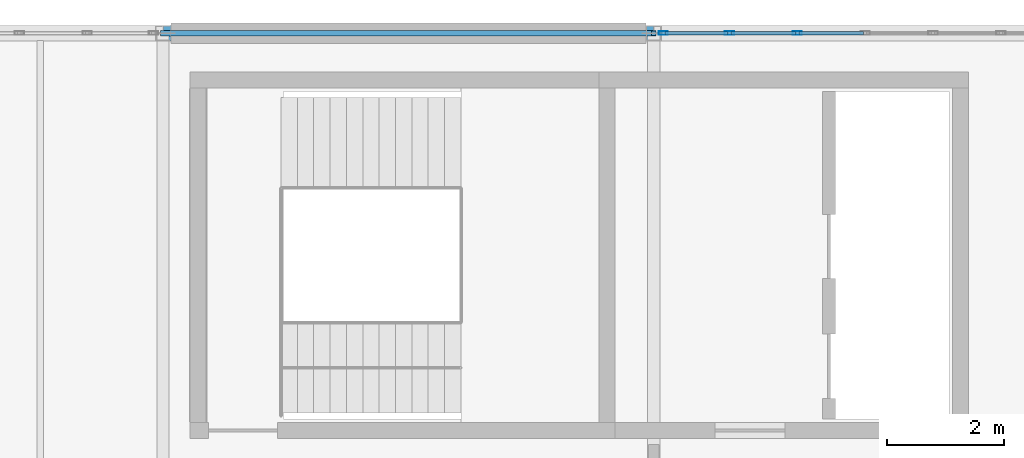
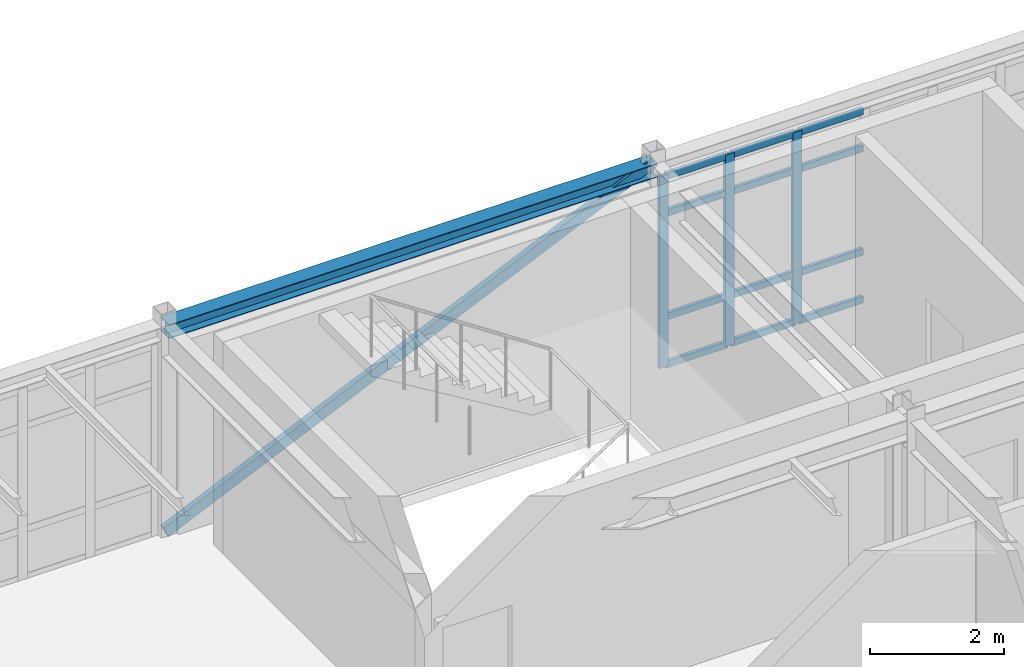
# One storey, part 101 of 189: 16 members, 1 beam, 1 element without a shape of its own.
"""IFC4 building model written with IfcOpenShell, lengths in metres."""

from ifc_helpers import new_model, si_unit, direction, frame, origin, origin_2d, place, context, subcontext, project, spatial, hollow_rectangle, i_section, extrude, material, layer, layer_set, material_profile, profile_set, type_object, element, aggregate, save


model = new_model("IFC4")

# Units and contexts
model_context = context("Model", 3, precision=1e-05, world=origin(), true_north=direction((0.0, 1.0)))
body_context = subcontext(model_context, "Body", "Model", "MODEL_VIEW")
ifc_project = project(units=[si_unit("LENGTHUNIT", "METRE"), si_unit("AREAUNIT", "SQUARE_METRE"), si_unit("VOLUMEUNIT", "CUBIC_METRE"), si_unit("PLANEANGLEUNIT", "RADIAN"), si_unit("MASSUNIT", "GRAM", prefix="KILO")], contexts=[model_context])

# Site, building, storey
site_placement = place(None, origin())
site = spatial("IfcSite", under=ifc_project, at=site_placement, CompositionType="ELEMENT")
building_placement = place(site_placement, origin())
building = spatial("IfcBuilding", under=site, at=building_placement, Name="Montecoro Central Library", CompositionType="ELEMENT")
storey_placement = place(building_placement, frame((0.0, 0.0, 9.179931640625)))
storey = spatial("IfcBuildingStorey", under=building, at=storey_placement, Name="L02", CompositionType="ELEMENT", Elevation=9.179931640625)

# Beam
ifc_material_1 = material(Name="Steel S355", Category="steel")
ifc_material_profile_1 = material_profile(ifc_material_1, i_section(OverallWidth=0.260009765625, OverallDepth=0.25, WebThickness=0.007568359375, FlangeThickness=0.012451171875, at=origin_2d()), Name="HEA 260")
ifc_profile_set_1 = profile_set([ifc_material_profile_1], Name="Steel S355")
beam_type = type_object("IfcBeamType", Name="BM-SP-HEA260", PredefinedType="SPANDREL", material=ifc_profile_set_1)
beam_placement = place(storey_placement, frame((74.804931640625, 119.0, 3.699951171875), z_axis=(1.0, 0.0, 0.0), x_axis=(0.0, 1.0, 0.0)))
element("IfcBeam", 1, at=beam_placement, inside=storey, type_object=beam_type, Name="V2-L02-BX-1011-R", PredefinedType="SPANDREL", context=body_context, shape_type="SweptSolid", body=[
    extrude(i_section(OverallWidth=0.260009765625, OverallDepth=0.25, WebThickness=0.007568359375, FlangeThickness=0.012451171875, at=origin_2d()), origin(), (0.0, 0.0, 1.0), 8.39013671875),
])

# Curtain wall, members
ifc_material_2 = material(Name="Bronze-anodised aluminium and low-E glazing", Category="aluminium")
ifc_layer = layer(ifc_material_2, 0.159912109375)
ifc_layer_set = layer_set([ifc_layer], Name="Bronze-anodised aluminium and low-E glazing")
curtain_wall_type = type_object("IfcCurtainWallType", Name="CWT-016", PredefinedType="NOTDEFINED", material=ifc_layer_set)
curtain_wall_placement = place(storey_placement, origin())
curtain_wall = element("IfcCurtainWall", 2, at=curtain_wall_placement, inside=storey, type_object=curtain_wall_type, Name="V2-L02-CW-N2", PredefinedType="NOTDEFINED")
ifc_material_3 = material(Name="Bronze-anodised aluminium", Category="aluminium")
ifc_material_profile_2 = material_profile(ifc_material_3, hollow_rectangle(XDim=0.06005859375, YDim=0.159912109375, WallThickness=0.00390625, at=origin_2d()), Name="CWM 160x60x4.0")
ifc_profile_set_2 = profile_set([ifc_material_profile_2], Name="Bronze-anodised aluminium")
member_type_1 = type_object("IfcMemberType", Name="CWM-BRZ-60", PredefinedType="MULLION", material=ifc_profile_set_2)
member_1_placement = place(storey_placement, frame((85.656982421875, 119.0, 0.0), z_axis=(0.0, 0.0, 1.0), x_axis=(0.0, -1.0, 0.0)))
member_1 = element("IfcMember", 3, at=member_1_placement, type_object=member_type_1, Name="CW-016 mullion 6", PredefinedType="MULLION", context=body_context, shape_type="SweptSolid", body=[
    extrude(hollow_rectangle(XDim=0.06005859375, YDim=0.159912109375, WallThickness=0.00390625, at=origin_2d()), origin(), (0.0, 0.0, 1.0), 3.47998046875),
])
member_2_placement = place(storey_placement, frame((84.4951171875, 119.0, 0.0), z_axis=(0.0, 0.0, 1.0), x_axis=(0.0, -1.0, 0.0)))
member_2 = element("IfcMember", 4, at=member_2_placement, type_object=member_type_1, Name="CW-016 mullion 7", PredefinedType="MULLION", context=body_context, shape_type="SweptSolid", body=[
    extrude(hollow_rectangle(XDim=0.06005859375, YDim=0.159912109375, WallThickness=0.00390625, at=origin_2d()), origin(), (0.0, 0.0, 1.0), 3.47998046875),
])
member_3_placement = place(storey_placement, frame((83.363037109375, 119.0, 0.0), z_axis=(0.0, 0.0, 1.0), x_axis=(0.0, -1.0, 0.0)))
member_3 = element("IfcMember", 5, at=member_3_placement, type_object=member_type_1, Name="CW-016 mullion 8", PredefinedType="MULLION", context=body_context, shape_type="SweptSolid", body=[
    extrude(hollow_rectangle(XDim=0.06005859375, YDim=0.159912109375, WallThickness=0.00390625, at=origin_2d()), origin(), (0.0, 0.0, 1.0), 3.47998046875),
])
ifc_material_profile_3 = material_profile(ifc_material_3, hollow_rectangle(XDim=0.06005859375, YDim=0.1201171875, WallThickness=0.00390625, at=origin_2d()), Name="CWT 120x60x4.0")
ifc_profile_set_3 = profile_set([ifc_material_profile_3], Name="Bronze-anodised aluminium")
member_type_2 = type_object("IfcMemberType", Name="CWT-BRZ-60", PredefinedType="USERDEFINED", material=ifc_profile_set_3)
member_4_placement = place(storey_placement, frame((86.7890625, 119.0, 0.030029296875), z_axis=(-1.0, 0.0, 0.0), x_axis=(0.0, -1.0, 0.0)))
member_4 = element("IfcMember", 6, at=member_4_placement, type_object=member_type_2, Name="CW-016 transom 5.1", ObjectType="TRANSOM", PredefinedType="USERDEFINED", context=body_context, shape_type="SweptSolid", body=[
    extrude(hollow_rectangle(XDim=0.06005859375, YDim=0.1201171875, WallThickness=0.00390625, at=origin_2d()), origin(), (0.0, 0.0, 1.0), 1.10205078125),
])
member_5_placement = place(storey_placement, frame((86.7890625, 119.0, 0.900146484375), z_axis=(-1.0, 0.0, 0.0), x_axis=(0.0, -1.0, 0.0)))
member_5 = element("IfcMember", 7, at=member_5_placement, type_object=member_type_2, Name="CW-016 transom 5.2", ObjectType="TRANSOM", PredefinedType="USERDEFINED", context=body_context, shape_type="SweptSolid", body=[
    extrude(hollow_rectangle(XDim=0.06005859375, YDim=0.1201171875, WallThickness=0.00390625, at=origin_2d()), origin(), (0.0, 0.0, 1.0), 1.10205078125),
])
member_6_placement = place(storey_placement, frame((86.7890625, 119.0, 2.780029296875), z_axis=(-1.0, 0.0, 0.0), x_axis=(0.0, -1.0, 0.0)))
member_6 = element("IfcMember", 8, at=member_6_placement, type_object=member_type_2, Name="CW-016 transom 5.3", ObjectType="TRANSOM", PredefinedType="USERDEFINED", context=body_context, shape_type="SweptSolid", body=[
    extrude(hollow_rectangle(XDim=0.06005859375, YDim=0.1201171875, WallThickness=0.00390625, at=origin_2d()), origin(), (0.0, 0.0, 1.0), 1.10205078125),
])
member_7_placement = place(storey_placement, frame((86.7890625, 119.0, 3.449951171875), z_axis=(-1.0, 0.0, 0.0), x_axis=(0.0, -1.0, 0.0)))
member_7 = element("IfcMember", 9, at=member_7_placement, type_object=member_type_2, Name="CW-016 transom 5.4", ObjectType="TRANSOM", PredefinedType="USERDEFINED", context=body_context, shape_type="SweptSolid", body=[
    extrude(hollow_rectangle(XDim=0.06005859375, YDim=0.1201171875, WallThickness=0.00390625, at=origin_2d()), origin(), (0.0, 0.0, 1.0), 1.10205078125),
])
member_8_placement = place(storey_placement, frame((85.626953125, 119.0, 0.030029296875), z_axis=(-1.0, 0.0, 0.0), x_axis=(0.0, -1.0, 0.0)))
member_8 = element("IfcMember", 10, at=member_8_placement, type_object=member_type_2, Name="CW-016 transom 6.1", ObjectType="TRANSOM", PredefinedType="USERDEFINED", context=body_context, shape_type="SweptSolid", body=[
    extrude(hollow_rectangle(XDim=0.06005859375, YDim=0.1201171875, WallThickness=0.00390625, at=origin_2d()), origin(), (0.0, 0.0, 1.0), 1.10205078125),
])
member_9_placement = place(storey_placement, frame((85.626953125, 119.0, 0.900146484375), z_axis=(-1.0, 0.0, 0.0), x_axis=(0.0, -1.0, 0.0)))
member_9 = element("IfcMember", 11, at=member_9_placement, type_object=member_type_2, Name="CW-016 transom 6.2", ObjectType="TRANSOM", PredefinedType="USERDEFINED", context=body_context, shape_type="SweptSolid", body=[
    extrude(hollow_rectangle(XDim=0.06005859375, YDim=0.1201171875, WallThickness=0.00390625, at=origin_2d()), origin(), (0.0, 0.0, 1.0), 1.10205078125),
])
member_10_placement = place(storey_placement, frame((85.626953125, 119.0, 2.780029296875), z_axis=(-1.0, 0.0, 0.0), x_axis=(0.0, -1.0, 0.0)))
member_10 = element("IfcMember", 12, at=member_10_placement, type_object=member_type_2, Name="CW-016 transom 6.3", ObjectType="TRANSOM", PredefinedType="USERDEFINED", context=body_context, shape_type="SweptSolid", body=[
    extrude(hollow_rectangle(XDim=0.06005859375, YDim=0.1201171875, WallThickness=0.00390625, at=origin_2d()), origin(), (0.0, 0.0, 1.0), 1.10205078125),
])
member_11_placement = place(storey_placement, frame((85.626953125, 119.0, 3.449951171875), z_axis=(-1.0, 0.0, 0.0), x_axis=(0.0, -1.0, 0.0)))
member_11 = element("IfcMember", 13, at=member_11_placement, type_object=member_type_2, Name="CW-016 transom 6.4", ObjectType="TRANSOM", PredefinedType="USERDEFINED", context=body_context, shape_type="SweptSolid", body=[
    extrude(hollow_rectangle(XDim=0.06005859375, YDim=0.1201171875, WallThickness=0.00390625, at=origin_2d()), origin(), (0.0, 0.0, 1.0), 1.10205078125),
])
member_12_placement = place(storey_placement, frame((84.465087890625, 119.0, 0.030029296875), z_axis=(-1.0, 0.0, 0.0), x_axis=(0.0, -1.0, 0.0)))
member_12 = element("IfcMember", 14, at=member_12_placement, type_object=member_type_2, Name="CW-016 transom 7.1", ObjectType="TRANSOM", PredefinedType="USERDEFINED", context=body_context, shape_type="SweptSolid", body=[
    extrude(hollow_rectangle(XDim=0.06005859375, YDim=0.1201171875, WallThickness=0.00390625, at=origin_2d()), origin(), (0.0, 0.0, 1.0), 1.072021484375),
])
member_13_placement = place(storey_placement, frame((84.465087890625, 119.0, 0.900146484375), z_axis=(-1.0, 0.0, 0.0), x_axis=(0.0, -1.0, 0.0)))
member_13 = element("IfcMember", 15, at=member_13_placement, type_object=member_type_2, Name="CW-016 transom 7.2", ObjectType="TRANSOM", PredefinedType="USERDEFINED", context=body_context, shape_type="SweptSolid", body=[
    extrude(hollow_rectangle(XDim=0.06005859375, YDim=0.1201171875, WallThickness=0.00390625, at=origin_2d()), origin(), (0.0, 0.0, 1.0), 1.072021484375),
])
member_14_placement = place(storey_placement, frame((84.465087890625, 119.0, 2.780029296875), z_axis=(-1.0, 0.0, 0.0), x_axis=(0.0, -1.0, 0.0)))
member_14 = element("IfcMember", 16, at=member_14_placement, type_object=member_type_2, Name="CW-016 transom 7.3", ObjectType="TRANSOM", PredefinedType="USERDEFINED", context=body_context, shape_type="SweptSolid", body=[
    extrude(hollow_rectangle(XDim=0.06005859375, YDim=0.1201171875, WallThickness=0.00390625, at=origin_2d()), origin(), (0.0, 0.0, 1.0), 1.072021484375),
])
member_15_placement = place(storey_placement, frame((84.465087890625, 119.0, 3.449951171875), z_axis=(-1.0, 0.0, 0.0), x_axis=(0.0, -1.0, 0.0)))
member_15 = element("IfcMember", 17, at=member_15_placement, type_object=member_type_2, Name="CW-016 transom 7.4", ObjectType="TRANSOM", PredefinedType="USERDEFINED", context=body_context, shape_type="SweptSolid", body=[
    extrude(hollow_rectangle(XDim=0.06005859375, YDim=0.1201171875, WallThickness=0.00390625, at=origin_2d()), origin(), (0.0, 0.0, 1.0), 1.072021484375),
])
aggregate(curtain_wall, [member_1, member_2, member_3, member_4, member_5, member_6, member_7, member_8, member_9, member_10, member_11, member_12, member_13, member_14, member_15])

# Member
ifc_material_profile_4 = material_profile(ifc_material_1, hollow_rectangle(XDim=0.10009765625, YDim=0.199951171875, WallThickness=0.008056640625, at=origin_2d()), Name="RHS 200x100x8.0")
ifc_profile_set_4 = profile_set([ifc_material_profile_4], Name="Steel S355")
member_type_3 = type_object("IfcMemberType", Name="MB-BR-RHS200", PredefinedType="BRACE", material=ifc_profile_set_4)
member_16_placement = place(storey_placement, frame((74.800048828125, 119.0, 0.010009765625), z_axis=(0.911302962598, 0.0, 0.411736457408), x_axis=(0.0, 1.0, 0.0)))
element("IfcMember", 18, at=member_16_placement, inside=storey, type_object=member_type_3, Name="V2-L02-BRN1", PredefinedType="BRACE", context=body_context, shape_type="SweptSolid", body=[
    extrude(hollow_rectangle(XDim=0.10009765625, YDim=0.199951171875, WallThickness=0.008056640625, at=origin_2d()), origin(), (0.0, 0.0, 1.0), 9.217529296875),
])

save(model, "model.ifc")
